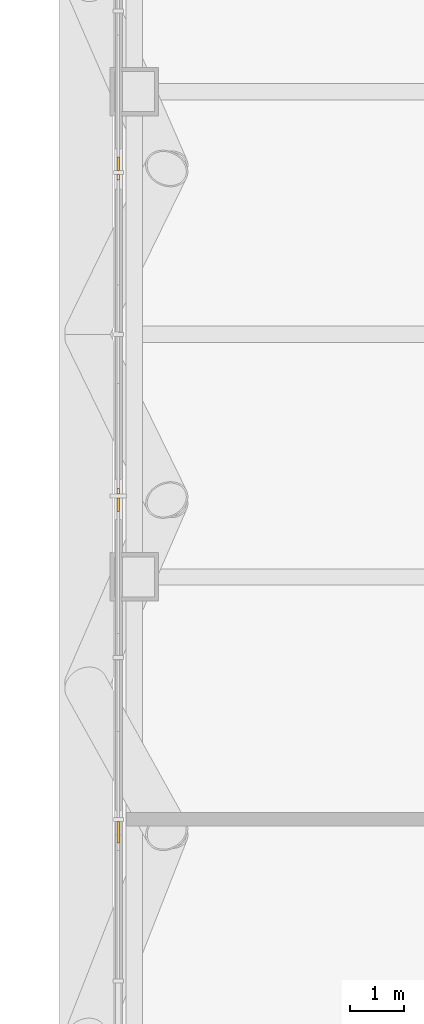
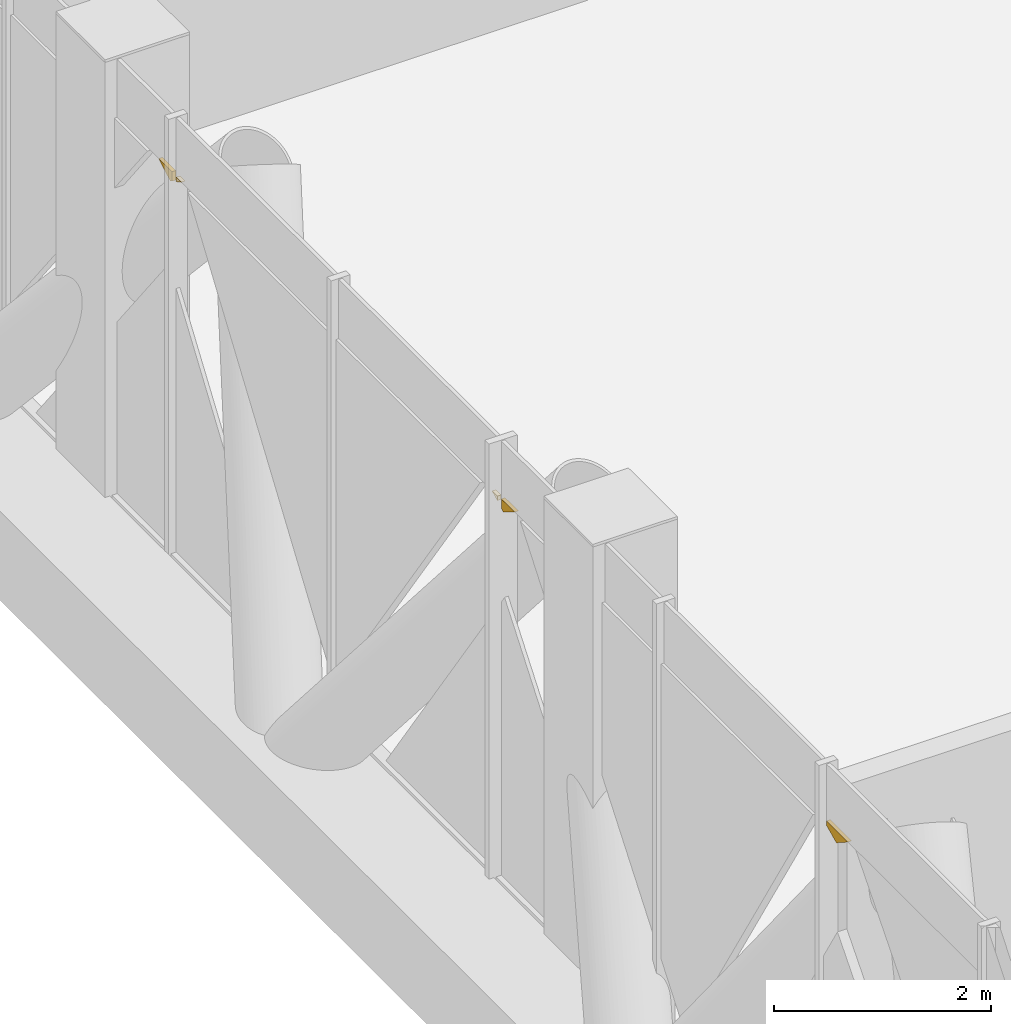
# One storey, part 20 of 26: 5 coverings.
"""IFC4 building model written with IfcOpenShell, lengths in metres."""

from ifc_helpers import new_model, si_unit, direction, frame, origin, place, context, subcontext, project, spatial, polyline, outline, extrude, material, layer, layer_set, type_object, element, save


model = new_model("IFC4")

# Units and contexts
model_context = context("Model", 3, precision=1e-05, world=origin(), true_north=direction((0.0, 1.0)))
body_context = subcontext(model_context, "Body", "Model", "MODEL_VIEW")
ifc_project = project(units=[si_unit("LENGTHUNIT", "METRE"), si_unit("AREAUNIT", "SQUARE_METRE"), si_unit("VOLUMEUNIT", "CUBIC_METRE"), si_unit("PLANEANGLEUNIT", "RADIAN"), si_unit("MASSUNIT", "GRAM", prefix="KILO")], contexts=[model_context])

# Site, building, storey
site_placement = place(None, origin())
site = spatial("IfcSite", under=ifc_project, at=site_placement, CompositionType="ELEMENT")
building_placement = place(site_placement, origin())
building = spatial("IfcBuilding", under=site, at=building_placement, Name="Malebo Sky Hospital", CompositionType="ELEMENT")
storey_placement = place(building_placement, frame((0.0, 0.0, 95.0)))
storey = spatial("IfcBuildingStorey", under=building, at=storey_placement, Name="L22", CompositionType="ELEMENT", Elevation=95.0)

# Coverings
ifc_material = material(Name="Anodised aluminium, natural silver insulated infill panel", Category="aluminium")
ifc_layer = layer(ifc_material, 0.0400390625)
ifc_layer_set = layer_set([ifc_layer], Name="BRACE INFILL PANEL 40")
covering_type = type_object("IfcCoveringType", Name="BRACE INFILL PANEL 40", PredefinedType="CLADDING", material=ifc_layer_set)
covering_1_placement = place(storey_placement, frame((34.5, 52.76416015625, 4.212890625), z_axis=(0.0, 0.0, 1.0), x_axis=(0.0, 1.0, 0.0)))
element("IfcCovering", 1, at=covering_1_placement, inside=storey, type_object=covering_type, Name="Brace infill panel 4.3", PredefinedType="CLADDING", context=body_context, shape_type="SweptSolid", body=[
    extrude(outline(polyline([(0.015625, 0.0), (0.1982421875, 0.08642578125), (0.1982421875, 0.138427734375), (-0.1982421875, 0.138427734375), (0.015625, 0.0)])), frame((0.0, 0.02001953125, 0.0), z_axis=(0.0, -1.0, 0.0), x_axis=(1.0, 0.0, 0.0)), (0.0, 0.0, 1.0), 0.0400390625),
])
covering_2_placement = place(storey_placement, frame((34.5, 58.83837890625, 4.21337890625), z_axis=(0.0, 0.0, 1.0), x_axis=(0.0, 1.0, 0.0)))
element("IfcCovering", 2, at=covering_2_placement, inside=storey, type_object=covering_type, Name="Brace infill panel 6.3", PredefinedType="CLADDING", context=body_context, shape_type="SweptSolid", body=[
    extrude(outline(polyline([(0.08837890625, 0.0), (0.1240234375, 0.018798828125), (0.1240234375, 0.124755859375), (-0.1240234375, 0.124755859375), (0.08837890625, 0.0)])), frame((0.0, 0.02001953125, 0.0), z_axis=(0.0, -1.0, 0.0), x_axis=(1.0, 0.0, 0.0)), (0.0, 0.0, 1.0), 0.0400390625),
])
covering_3_placement = place(storey_placement, frame((34.5, 59.0859375, 4.27197265625), z_axis=(0.0, 0.0, 1.0), x_axis=(0.0, 1.0, 0.0)))
element("IfcCovering", 3, at=covering_3_placement, inside=storey, type_object=covering_type, Name="Brace infill panel 7.3", PredefinedType="CLADDING", context=body_context, shape_type="SweptSolid", body=[
    extrude(outline(polyline([(-0.048583984375, 0.0), (0.048583984375, 0.051513671875), (-0.048583984375, 0.051513671875), (-0.048583984375, 0.0)])), frame((0.0, 0.02001953125, 0.0), z_axis=(0.0, -1.0, 0.0), x_axis=(1.0, 0.0, 0.0)), (0.0, 0.0, 1.0), 0.0400390625),
])
covering_4_placement = place(storey_placement, frame((34.5, 64.9140625, 4.27197265625), z_axis=(0.0, 0.0, 1.0), x_axis=(0.0, 1.0, 0.0)))
element("IfcCovering", 4, at=covering_4_placement, inside=storey, type_object=covering_type, Name="Brace infill panel 8.3", PredefinedType="CLADDING", context=body_context, shape_type="SweptSolid", body=[
    extrude(outline(polyline([(0.048583984375, 0.0), (0.048583984375, 0.051513671875), (-0.048583984375, 0.051513671875), (0.048583984375, 0.0)])), frame((0.0, 0.02001953125, 0.0), z_axis=(0.0, -1.0, 0.0), x_axis=(1.0, 0.0, 0.0)), (0.0, 0.0, 1.0), 0.0400390625),
])
covering_5_placement = place(storey_placement, frame((34.5, 65.16162109375, 4.21337890625), z_axis=(0.0, 0.0, 1.0), x_axis=(0.0, 1.0, 0.0)))
element("IfcCovering", 5, at=covering_5_placement, inside=storey, type_object=covering_type, Name="Brace infill panel 9.3", PredefinedType="CLADDING", context=body_context, shape_type="SweptSolid", body=[
    extrude(outline(polyline([(-0.08837890625, 0.0), (0.1240234375, 0.124755859375), (-0.1240234375, 0.124755859375), (-0.1240234375, 0.018798828125), (-0.08837890625, 0.0)])), frame((0.0, 0.02001953125, 0.0), z_axis=(0.0, -1.0, 0.0), x_axis=(1.0, 0.0, 0.0)), (0.0, 0.0, 1.0), 0.0400390625),
])

save(model, "model.ifc")
